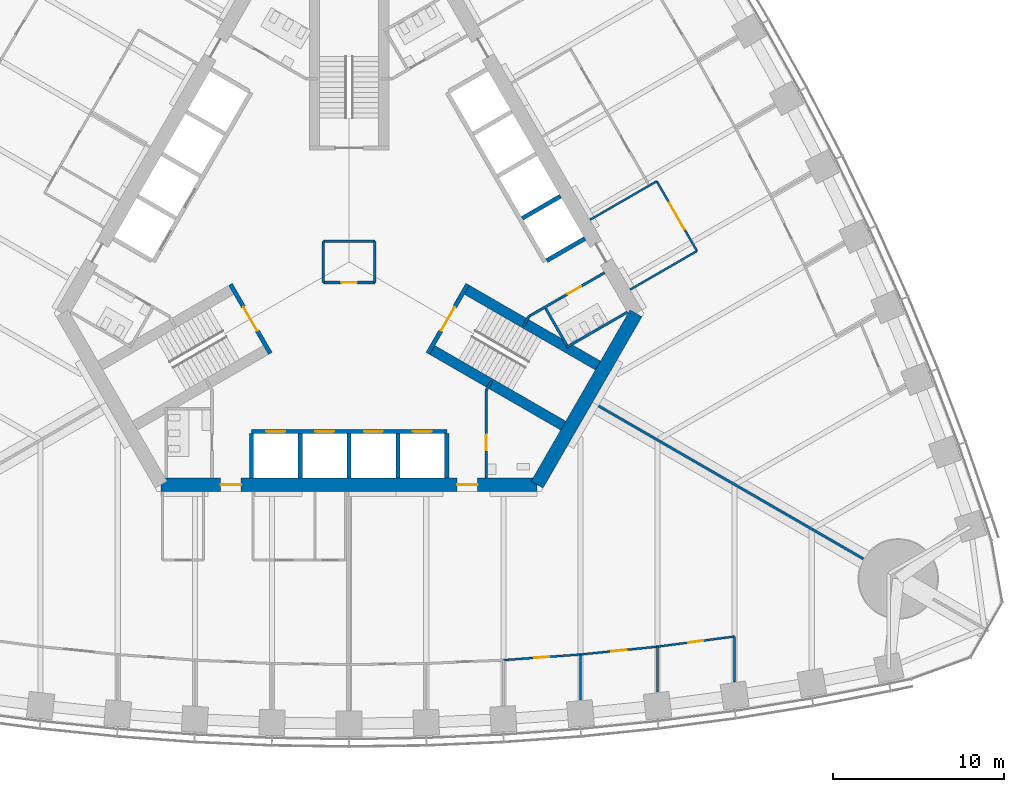
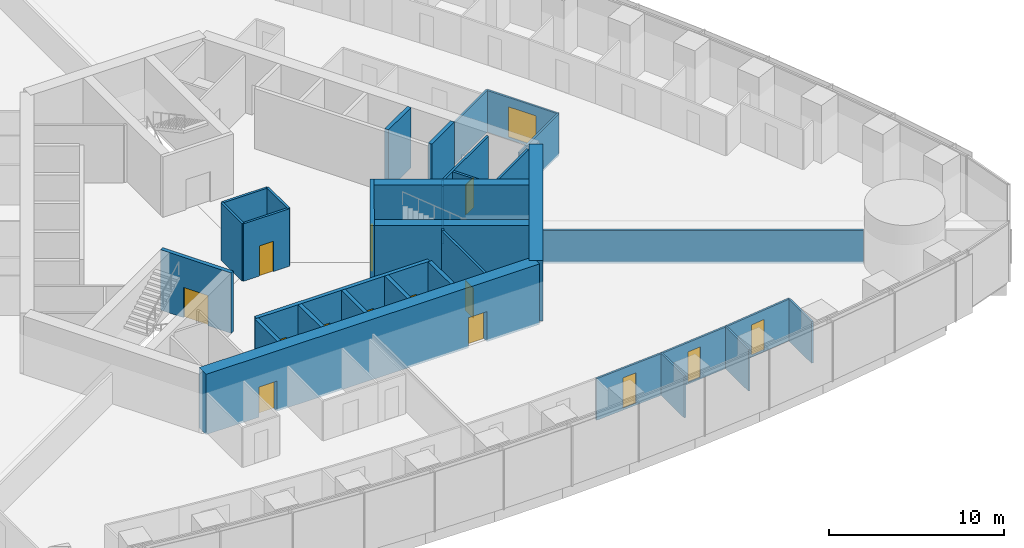
# One storey, part 11 of 19: 34 walls, 15 doors, 15 openings.
"""IFC4 building model written with IfcOpenShell, lengths in metres."""

from ifc_helpers import new_model, si_unit, direction, frame, frame_2d, origin, place, context, subcontext, project, spatial, rectangle, extrude, material, layer, layer_set, type_object, element, fill, save


model = new_model("IFC4")

# Units and contexts
model_context = context("Model", 3, precision=1e-05, world=origin(), true_north=direction((0.0, 1.0)))
body_context = subcontext(model_context, "Body", "Model", "MODEL_VIEW")
ifc_project = project(units=[si_unit("LENGTHUNIT", "METRE"), si_unit("AREAUNIT", "SQUARE_METRE"), si_unit("VOLUMEUNIT", "CUBIC_METRE"), si_unit("PLANEANGLEUNIT", "RADIAN"), si_unit("MASSUNIT", "GRAM", prefix="KILO")], contexts=[model_context])

# Site, building, storey
site_placement = place(None, origin())
site = spatial("IfcSite", under=ifc_project, at=site_placement, CompositionType="ELEMENT")
building_placement = place(site_placement, origin())
building = spatial("IfcBuilding", under=site, at=building_placement, Name="Trefoil Bronze Tower", CompositionType="ELEMENT")
storey_placement = place(building_placement, frame((0.0, 0.0, 16.5)))
storey = spatial("IfcBuildingStorey", under=building, at=storey_placement, Name="L03", CompositionType="ELEMENT", Elevation=16.5)

# Wall, openings, doors
ifc_material_1 = material(Name="Concrete B80", Category="concrete")
ifc_layer_1 = layer(ifc_material_1, 0.800048828125)
ifc_layer_set_1 = layer_set([ifc_layer_1], Name="Core wall 800")
wall_type_1 = type_object("IfcWallType", Name="Core wall 800", PredefinedType="SHEAR", material=ifc_layer_set_1)
wall_1_placement = place(storey_placement, frame((-10.9697265625, -13.0, 0.0), z_axis=(0.0, 0.0, 1.0), x_axis=(1.0, 0.0, 0.0)))
wall_1 = element("IfcWall", 1, at=wall_1_placement, inside=storey, type_object=wall_type_1, Name="Core long wall 1 L03", PredefinedType="SHEAR", context=body_context, shape_type="SweptSolid", body=[
    extrude(rectangle(XDim=21.939453125, YDim=0.800048828125, at=frame_2d((10.9697265625, 0.0))), origin(), (0.0, 0.0, 1.0), 4.199951171875),
])
opening_1_placement = place(wall_1_placement, frame((17.269775390625, 0.0, 0.0)))
opening_1 = element("IfcOpeningElement", 2, at=opening_1_placement, cuts=wall_1, Name="Opening D2", PredefinedType="OPENING", context=body_context, shape_type="SweptSolid", body=[
    extrude(rectangle(XDim=1.199951171875, YDim=2.10009765625, at=frame_2d((0.60009765625, 1.050048828125))), frame((0.0, 0.409912109375, 0.0), z_axis=(0.0, -1.0, 0.0), x_axis=(1.0, 0.0, 0.0)), (0.0, 0.0, 1.0), 0.820068359375),
])
opening_2_placement = place(wall_1_placement, frame((3.4697265625, 0.0, 0.0)))
opening_2 = element("IfcOpeningElement", 3, at=opening_2_placement, cuts=wall_1, Name="Opening D2", PredefinedType="OPENING", context=body_context, shape_type="SweptSolid", body=[
    extrude(rectangle(XDim=1.199951171875, YDim=2.10009765625, at=frame_2d((0.60009765625, 1.050048828125))), frame((0.0, 0.409912109375, 0.0), z_axis=(0.0, -1.0, 0.0), x_axis=(1.0, 0.0, 0.0)), (0.0, 0.0, 1.0), 0.820068359375),
])
ifc_material_2 = material(Name="Steel door", Category="steel")
door_type_1 = type_object("IfcDoorType", Name="Lobby door 1200", OperationType="SINGLE_SWING_RIGHT", PredefinedType="DOOR", material=ifc_material_2)
door_1_placement = place(opening_1_placement, origin())
door_1 = element("IfcDoor", 4, at=door_1_placement, inside=storey, type_object=door_type_1, Name="Lobby door F1+ L03", OperationType="SINGLE_SWING_RIGHT", OverallHeight=2.10009765625, OverallWidth=1.199951171875, PredefinedType="DOOR", context=body_context, shape_type="SweptSolid", body=[
    extrude(rectangle(XDim=1.199951171875, YDim=2.10009765625, at=frame_2d((0.60009765625, 1.050048828125))), frame((0.0, 0.02490234375, 0.0), z_axis=(0.0, -1.0, 0.0), x_axis=(1.0, 0.0, 0.0)), (0.0, 0.0, 1.0), 0.050048828125),
])
fill(opening_1, door_1)
door_2_placement = place(opening_2_placement, origin())
door_2 = element("IfcDoor", 5, at=door_2_placement, inside=storey, type_object=door_type_1, Name="Lobby door F1- L03", OperationType="SINGLE_SWING_LEFT", OverallHeight=2.10009765625, OverallWidth=1.199951171875, PredefinedType="DOOR", context=body_context, shape_type="SweptSolid", body=[
    extrude(rectangle(XDim=1.199951171875, YDim=2.10009765625, at=frame_2d((0.60009765625, 1.050048828125))), frame((0.0, 0.02490234375, 0.0), z_axis=(0.0, -1.0, 0.0), x_axis=(1.0, 0.0, 0.0)), (0.0, 0.0, 1.0), 0.050048828125),
])
fill(opening_2, door_2)

# Wall
wall_2_placement = place(storey_placement, frame((10.9697265625, -13.0, 0.0), z_axis=(0.0, 0.0, 1.0), x_axis=(0.499995765644, 0.866027848477, 0.0)))
element("IfcWall", 6, at=wall_2_placement, inside=storey, type_object=wall_type_1, Name="Core short wall 1 L03", PredefinedType="SHEAR", context=body_context, shape_type="SweptSolid", body=[
    extrude(rectangle(XDim=11.546875, YDim=0.800048828125, at=frame_2d((5.7734375, 0.0))), origin(), (0.0, 0.0, 1.0), 4.199951171875),
])

# Wall, opening, door
ifc_material_3 = material(Name="Glazed partition", Category="glass")
ifc_layer_2 = layer(ifc_material_3, 0.1201171875)
ifc_layer_set_2 = layer_set([ifc_layer_2], Name="Glazed partition 120")
wall_type_2 = type_object("IfcWallType", Name="Glazed partition 120", PredefinedType="PARTITIONING", material=ifc_layer_set_2)
wall_3_placement = place(storey_placement, frame((13.5, -22.909912109375, 0.0), z_axis=(0.0, 0.0, 1.0), x_axis=(0.994833141332, 0.101523499286, 0.0)))
wall_3 = element("IfcWall", 7, at=wall_3_placement, inside=storey, type_object=wall_type_2, Name="Partition F1 L03", PredefinedType="PARTITIONING", context=body_context, shape_type="SweptSolid", body=[
    extrude(rectangle(XDim=4.5234375, YDim=0.1201171875, at=frame_2d((2.26171875, 0.0))), origin(), (0.0, 0.0, 1.0), 2.89990234375),
])
opening_3_placement = place(wall_3_placement, frame((1.800048828125, 0.0, 0.14990234375)))
opening_3 = element("IfcOpeningElement", 8, at=opening_3_placement, cuts=wall_3, Name="Opening D8", PredefinedType="OPENING", context=body_context, shape_type="SweptSolid", body=[
    extrude(rectangle(XDim=0.89990234375, YDim=2.10009765625, at=frame_2d((0.449951171875, 1.050048828125))), frame((0.0, 0.070068359375, 0.0), z_axis=(0.0, -1.0, 0.0), x_axis=(1.0, 0.0, 0.0)), (0.0, 0.0, 1.0), 0.14013671875),
])
ifc_material_4 = material(Name="Timber door", Category="wood")
door_type_2 = type_object("IfcDoorType", Name="Office door 900", OperationType="SINGLE_SWING_LEFT", PredefinedType="DOOR", material=ifc_material_4)
door_3_placement = place(opening_3_placement, frame((0.89990234375, 0.0, 0.0), z_axis=(0.0, 0.0, 1.0), x_axis=(-1.0, 0.0, 0.0)))
door_3 = element("IfcDoor", 9, at=door_3_placement, inside=storey, type_object=door_type_2, Name="Office door F1 L03", OperationType="SINGLE_SWING_RIGHT", OverallHeight=2.10009765625, OverallWidth=0.89990234375, PredefinedType="DOOR", context=body_context, shape_type="SweptSolid", body=[
    extrude(rectangle(XDim=0.89990234375, YDim=2.10009765625, at=frame_2d((0.449951171875, 1.050048828125))), frame((0.0, 0.02490234375, 0.0), z_axis=(0.0, -1.0, 0.0), x_axis=(1.0, 0.0, 0.0)), (0.0, 0.0, 1.0), 0.050048828125),
])
fill(opening_3, door_3)

wall_4_placement = place(storey_placement, frame((18.0, -22.45068359375, 0.0), z_axis=(0.0, 0.0, 1.0), x_axis=(0.991435244698, 0.130599217346, 0.0)))
wall_4 = element("IfcWall", 10, at=wall_4_placement, inside=storey, type_object=wall_type_2, Name="Partition F1 L03", PredefinedType="PARTITIONING", context=body_context, shape_type="SweptSolid", body=[
    extrude(rectangle(XDim=4.538818359375, YDim=0.1201171875, at=frame_2d((2.26953125, 0.0))), origin(), (0.0, 0.0, 1.0), 2.89990234375),
])
opening_4_placement = place(wall_4_placement, frame((1.800048828125, 0.0, 0.14990234375)))
opening_4 = element("IfcOpeningElement", 11, at=opening_4_placement, cuts=wall_4, Name="Opening D8", PredefinedType="OPENING", context=body_context, shape_type="SweptSolid", body=[
    extrude(rectangle(XDim=0.89990234375, YDim=2.10009765625, at=frame_2d((0.449951171875, 1.050048828125))), frame((0.0, 0.070068359375, 0.0), z_axis=(0.0, -1.0, 0.0), x_axis=(1.0, 0.0, 0.0)), (0.0, 0.0, 1.0), 0.14013671875),
])
door_4_placement = place(opening_4_placement, frame((0.89990234375, 0.0, 0.0), z_axis=(0.0, 0.0, 1.0), x_axis=(-1.0, 0.0, 0.0)))
door_4 = element("IfcDoor", 12, at=door_4_placement, inside=storey, type_object=door_type_2, Name="Office door F1 L03", OperationType="SINGLE_SWING_RIGHT", OverallHeight=2.10009765625, OverallWidth=0.89990234375, PredefinedType="DOOR", context=body_context, shape_type="SweptSolid", body=[
    extrude(rectangle(XDim=0.89990234375, YDim=2.10009765625, at=frame_2d((0.449951171875, 1.050048828125))), frame((0.0, 0.02490234375, 0.0), z_axis=(0.0, -1.0, 0.0), x_axis=(1.0, 0.0, 0.0)), (0.0, 0.0, 1.0), 0.050048828125),
])
fill(opening_4, door_4)

wall_5_placement = place(storey_placement, frame((9.0, -23.2373046875, 0.0), z_axis=(0.0, 0.0, 1.0), x_axis=(0.997363894896, 0.072562119306, 0.0)))
wall_5 = element("IfcWall", 13, at=wall_5_placement, inside=storey, type_object=wall_type_2, Name="Partition F1 L03", PredefinedType="PARTITIONING", context=body_context, shape_type="SweptSolid", body=[
    extrude(rectangle(XDim=4.511962890625, YDim=0.1201171875, at=frame_2d((2.255859375, 0.0))), origin(), (0.0, 0.0, 1.0), 2.89990234375),
])
opening_5_placement = place(wall_5_placement, frame((1.800048828125, 0.0, 0.14990234375)))
opening_5 = element("IfcOpeningElement", 14, at=opening_5_placement, cuts=wall_5, Name="Opening D8", PredefinedType="OPENING", context=body_context, shape_type="SweptSolid", body=[
    extrude(rectangle(XDim=0.89990234375, YDim=2.10009765625, at=frame_2d((0.449951171875, 1.050048828125))), frame((0.0, 0.070068359375, 0.0), z_axis=(0.0, -1.0, 0.0), x_axis=(1.0, 0.0, 0.0)), (0.0, 0.0, 1.0), 0.14013671875),
])
door_5_placement = place(opening_5_placement, frame((0.89990234375, 0.0, 0.0), z_axis=(0.0, 0.0, 1.0), x_axis=(-1.0, 0.0, 0.0)))
door_5 = element("IfcDoor", 15, at=door_5_placement, inside=storey, type_object=door_type_2, Name="Office door F1 L03", OperationType="SINGLE_SWING_RIGHT", OverallHeight=2.10009765625, OverallWidth=0.89990234375, PredefinedType="DOOR", context=body_context, shape_type="SweptSolid", body=[
    extrude(rectangle(XDim=0.89990234375, YDim=2.10009765625, at=frame_2d((0.449951171875, 1.050048828125))), frame((0.0, 0.02490234375, 0.0), z_axis=(0.0, -1.0, 0.0), x_axis=(1.0, 0.0, 0.0)), (0.0, 0.0, 1.0), 0.050048828125),
])
fill(opening_5, door_5)

# Walls
wall_6_placement = place(storey_placement, frame((13.5, -22.909912109375, 0.0), z_axis=(0.0, 0.0, 1.0), x_axis=(0.0, -1.0, 0.0)))
element("IfcWall", 16, at=wall_6_placement, inside=storey, type_object=wall_type_2, Name="Partition F1 L03", PredefinedType="PARTITIONING", context=body_context, shape_type="SweptSolid", body=[
    extrude(rectangle(XDim=2.6640625, YDim=0.1201171875, at=frame_2d((1.33203125, 0.0))), origin(), (0.0, 0.0, 1.0), 2.89990234375),
])
wall_7_placement = place(storey_placement, frame((18.0, -22.45068359375, 0.0), z_axis=(0.0, 0.0, 1.0), x_axis=(0.0, -1.0, 0.0)))
element("IfcWall", 17, at=wall_7_placement, inside=storey, type_object=wall_type_2, Name="Partition F1 L03", PredefinedType="PARTITIONING", context=body_context, shape_type="SweptSolid", body=[
    extrude(rectangle(XDim=2.6591796875, YDim=0.1201171875, at=frame_2d((1.32958984375, 0.0))), origin(), (0.0, 0.0, 1.0), 2.89990234375),
])
wall_8_placement = place(storey_placement, frame((22.5, -21.85791015625, 0.0), z_axis=(0.0, 0.0, 1.0), x_axis=(0.0, -1.0, 0.0)))
element("IfcWall", 18, at=wall_8_placement, inside=storey, type_object=wall_type_2, Name="Partition F1 L03", PredefinedType="PARTITIONING", context=body_context, shape_type="SweptSolid", body=[
    extrude(rectangle(XDim=2.6533203125, YDim=0.1201171875, at=frame_2d((1.32666015625, 0.0))), origin(), (0.0, 0.0, 1.0), 2.89990234375),
])

# Wall, opening, door
wall_9_placement = place(storey_placement, frame((20.3017578125, 0.63623046875, 0.0), z_axis=(0.0, 0.0, 1.0), x_axis=(-0.499977259774, 0.866038532462, 0.0)))
wall_9 = element("IfcWall", 19, at=wall_9_placement, inside=storey, type_object=wall_type_2, Name="Partition F2 L03", PredefinedType="PARTITIONING", context=body_context, shape_type="SweptSolid", body=[
    extrude(rectangle(XDim=4.699951171875, YDim=0.1201171875, at=frame_2d((2.35009765625, 0.0))), origin(), (0.0, 0.0, 1.0), 2.89990234375),
])
opening_6_placement = place(wall_9_placement, frame((1.449951171875, 0.0, 0.14990234375)))
opening_6 = element("IfcOpeningElement", 20, at=opening_6_placement, cuts=wall_9, Name="Opening D10", PredefinedType="OPENING", context=body_context, shape_type="SweptSolid", body=[
    extrude(rectangle(XDim=1.800048828125, YDim=2.10009765625, at=frame_2d((0.89990234375, 1.050048828125))), frame((0.0, 0.070068359375, 0.0), z_axis=(0.0, -1.0, 0.0), x_axis=(1.0, 0.0, 0.0)), (0.0, 0.0, 1.0), 0.14013671875),
])
ifc_material_5 = material(Name="Timber door", Category="wood")
door_type_3 = type_object("IfcDoorType", Name="Double door 1800", OperationType="DOUBLE_DOOR_SINGLE_SWING", PredefinedType="DOOR", material=ifc_material_5)
door_6_placement = place(opening_6_placement, origin())
door_6 = element("IfcDoor", 21, at=door_6_placement, inside=storey, type_object=door_type_3, Name="Reception door F2 L03", OperationType="DOUBLE_DOOR_SINGLE_SWING", OverallHeight=2.10009765625, OverallWidth=1.800048828125, PredefinedType="DOOR", context=body_context, shape_type="SweptSolid", body=[
    extrude(rectangle(XDim=1.800048828125, YDim=2.10009765625, at=frame_2d((0.89990234375, 1.050048828125))), frame((0.0, 0.02490234375, 0.0), z_axis=(0.0, -1.0, 0.0), x_axis=(1.0, 0.0, 0.0)), (0.0, 0.0, 1.0), 0.050048828125),
])
fill(opening_6, door_6)

# Walls
wall_10_placement = place(storey_placement, frame((14.0546875, 2.45654296875, 0.0), z_axis=(0.0, 0.0, 1.0), x_axis=(0.866031096941, 0.499990139034, 0.0)))
element("IfcWall", 22, at=wall_10_placement, inside=storey, type_object=wall_type_2, Name="Partition F2 L03", PredefinedType="PARTITIONING", context=body_context, shape_type="SweptSolid", body=[
    extrude(rectangle(XDim=4.5, YDim=0.1201171875, at=frame_2d((2.25, 0.0))), origin(), (0.0, 0.0, 1.0), 2.89990234375),
])
wall_11_placement = place(storey_placement, frame((16.40478515625, -1.61376953125, 0.0), z_axis=(0.0, 0.0, 1.0), x_axis=(0.866017533419, 0.500013631625, 0.0)))
element("IfcWall", 23, at=wall_11_placement, inside=storey, type_object=wall_type_2, Name="Partition F2 L03", PredefinedType="PARTITIONING", context=body_context, shape_type="SweptSolid", body=[
    extrude(rectangle(XDim=4.499755859375, YDim=0.1201171875, at=frame_2d((2.25, 0.0))), origin(), (0.0, 0.0, 1.0), 2.89990234375),
])

# Wall, opening, door
ifc_material_6 = material(Name="Gypsum board on steel studs", Category="steel")
ifc_layer_3 = layer(ifc_material_6, 0.14990234375)
ifc_layer_set_3 = layer_set([ifc_layer_3], Name="Partition 150")
wall_type_3 = type_object("IfcWallType", Name="Partition 150", PredefinedType="PARTITIONING", material=ifc_layer_set_3)
wall_12_placement = place(storey_placement, frame((8.0, -7.5, 0.0), z_axis=(0.0, 0.0, 1.0), x_axis=(0.0, -1.0, 0.0)))
wall_12 = element("IfcWall", 24, at=wall_12_placement, inside=storey, type_object=wall_type_3, Name="Passage wall F1+ L03", PredefinedType="PARTITIONING", context=body_context, shape_type="SweptSolid", body=[
    extrude(rectangle(XDim=5.10009765625, YDim=0.14990234375, at=frame_2d((2.550048828125, 0.0))), origin(), (0.0, 0.0, 1.0), 4.0),
])
opening_7_placement = place(wall_12_placement, frame((2.60009765625, 0.0, 0.0)))
opening_7 = element("IfcOpeningElement", 25, at=opening_7_placement, cuts=wall_12, Name="Opening D3", PredefinedType="OPENING", context=body_context, shape_type="SweptSolid", body=[
    extrude(rectangle(XDim=0.89990234375, YDim=2.10009765625, at=frame_2d((0.449951171875, 1.050048828125))), frame((0.0, 0.0849609375, 0.0), z_axis=(0.0, -1.0, 0.0), x_axis=(1.0, 0.0, 0.0)), (0.0, 0.0, 1.0), 0.169921875),
])
ifc_material_7 = material(Name="Timber door", Category="wood")
door_type_4 = type_object("IfcDoorType", Name="WC door 900", OperationType="SINGLE_SWING_LEFT", PredefinedType="DOOR", material=ifc_material_7)
door_7_placement = place(opening_7_placement, origin())
door_7 = element("IfcDoor", 26, at=door_7_placement, inside=storey, type_object=door_type_4, Name="Accessible WC door L03", OperationType="SINGLE_SWING_RIGHT", OverallHeight=2.10009765625, OverallWidth=0.89990234375, PredefinedType="DOOR", context=body_context, shape_type="SweptSolid", body=[
    extrude(rectangle(XDim=0.89990234375, YDim=2.10009765625, at=frame_2d((0.449951171875, 1.050048828125))), frame((0.0, 0.02490234375, 0.0), z_axis=(0.0, -1.0, 0.0), x_axis=(1.0, 0.0, 0.0)), (0.0, 0.0, 1.0), 0.050048828125),
])
fill(opening_7, door_7)

wall_13_placement = place(storey_placement, frame((10.4951171875, -3.17822265625, 0.0), z_axis=(0.0, 0.0, 1.0), x_axis=(0.86602216432, 0.500005610874, 0.0)))
wall_13 = element("IfcWall", 27, at=wall_13_placement, inside=storey, type_object=wall_type_3, Name="Passage wall F2- L03", PredefinedType="PARTITIONING", context=body_context, shape_type="SweptSolid", body=[
    extrude(rectangle(XDim=5.10009765625, YDim=0.14990234375, at=frame_2d((2.550048828125, 0.0))), origin(), (0.0, 0.0, 1.0), 4.0),
])
opening_8_placement = place(wall_13_placement, frame((2.60009765625, 0.0, 0.0)))
opening_8 = element("IfcOpeningElement", 28, at=opening_8_placement, cuts=wall_13, Name="Opening D3", PredefinedType="OPENING", context=body_context, shape_type="SweptSolid", body=[
    extrude(rectangle(XDim=0.89990234375, YDim=2.10009765625, at=frame_2d((0.449951171875, 1.050048828125))), frame((0.0, 0.0849609375, 0.0), z_axis=(0.0, -1.0, 0.0), x_axis=(1.0, 0.0, 0.0)), (0.0, 0.0, 1.0), 0.169921875),
])
door_8_placement = place(opening_8_placement, frame((0.89990234375, 0.0, 0.0), z_axis=(0.0, 0.0, 1.0), x_axis=(-1.0, 0.0, 0.0)))
door_8 = element("IfcDoor", 29, at=door_8_placement, inside=storey, type_object=door_type_4, Name="WC (women) door L03", OperationType="SINGLE_SWING_RIGHT", OverallHeight=2.10009765625, OverallWidth=0.89990234375, PredefinedType="DOOR", context=body_context, shape_type="SweptSolid", body=[
    extrude(rectangle(XDim=0.89990234375, YDim=2.10009765625, at=frame_2d((0.449951171875, 1.050048828125))), frame((0.0, 0.02490234375, 0.0), z_axis=(0.0, -1.0, 0.0), x_axis=(1.0, 0.0, 0.0)), (0.0, 0.0, 1.0), 0.050048828125),
])
fill(opening_8, door_8)

# Walls
for number, where, z_axis, x_axis, name in (
    (30, (8.0, -7.5, 0.0), (0.0, 0.0, 1.0), (0.499842556608, 0.866116284689, 0.0), "WC wall ST1-1 L03"),
    (31, (10.4951171875, -3.17822265625, 0.0), (0.0, 0.0, 1.0), (-0.499842556608, -0.866116284689, 0.0), "WC wall ST1+1 L03"),
):
    element("IfcWall", number, at=place(storey_placement, frame(where, z_axis=z_axis, x_axis=x_axis)), inside=storey, type_object=wall_type_3, Name=name, PredefinedType="PARTITIONING", context=body_context, shape_type="SweptSolid", body=[
        extrude(rectangle(XDim=0.645263671875, YDim=0.14990234375, at=frame_2d((0.32275390625, 0.0))), origin(), (0.0, 0.0, 1.0), 4.0),
    ])
wall_14_placement = place(storey_placement, frame((12.691162109375, -4.98193359375, 0.0), z_axis=(0.0, 0.0, 1.0), x_axis=(0.8660249478, 0.500000789788, 0.0)))
element("IfcWall", 32, at=wall_14_placement, inside=storey, type_object=wall_type_3, Name="WC partition WC (women) L03", PredefinedType="PARTITIONING", context=body_context, shape_type="SweptSolid", body=[
    extrude(rectangle(XDim=4.10009765625, YDim=0.14990234375, at=frame_2d((2.050048828125, 0.0))), origin(), (0.0, 0.0, 1.0), 4.0),
])
wall_15_placement = place(storey_placement, frame((11.463623046875, -2.70556640625, 0.0), z_axis=(0.0, 0.0, 1.0), x_axis=(0.50001992892, -0.866013897511, 0.0)))
element("IfcWall", 33, at=wall_15_placement, inside=storey, type_object=wall_type_3, Name="WC partition WC (women) L03", PredefinedType="PARTITIONING", context=body_context, shape_type="SweptSolid", body=[
    extrude(rectangle(XDim=2.51025390625, YDim=0.14990234375, at=frame_2d((1.255126953125, 0.0))), origin(), (0.0, 0.0, 1.0), 4.0),
])
ifc_material_8 = material(Name="Gypsum board on steel studs", Category="steel")
ifc_layer_4 = layer(ifc_material_8, 0.14990234375)
ifc_layer_set_4 = layer_set([ifc_layer_4], Name="Party wall 150")
wall_type_4 = type_object("IfcWallType", Name="Party wall 150", PredefinedType="PARTITIONING", material=ifc_layer_set_4)
wall_16_placement = place(storey_placement, frame((14.202880859375, -8.199951171875, 0.0), z_axis=(0.0, 0.0, 1.0), x_axis=(0.866024965723, -0.500000758745, 0.0)))
element("IfcWall", 34, at=wall_16_placement, inside=storey, type_object=wall_type_4, Name="Party wall K1 L03", PredefinedType="PARTITIONING", context=body_context, shape_type="SweptSolid", body=[
    extrude(rectangle(XDim=18.25, YDim=0.14990234375, at=frame_2d((9.125, 0.0))), origin(), (0.0, 0.0, 1.0), 2.300048828125),
])

# Wall, opening, door
ifc_material_9 = material(Name="Gypsum board on steel studs", Category="steel")
ifc_layer_5 = layer(ifc_material_9, 0.14990234375)
ifc_layer_set_5 = layer_set([ifc_layer_5], Name="Riser wall 150")
wall_type_5 = type_object("IfcWallType", Name="Riser wall 150", PredefinedType="PARTITIONING", material=ifc_layer_set_5)
wall_17_placement = place(storey_placement, frame((-1.5, -1.199951171875, 0.0), z_axis=(0.0, 0.0, 1.0), x_axis=(1.0, 0.0, 0.0)))
wall_17 = element("IfcWall", 35, at=wall_17_placement, inside=storey, type_object=wall_type_5, Name="Riser wall L03", PredefinedType="PARTITIONING", context=body_context, shape_type="SweptSolid", body=[
    extrude(rectangle(XDim=3.0, YDim=0.14990234375, at=frame_2d((1.5, 0.0))), origin(), (0.0, 0.0, 1.0), 4.0),
])
opening_9_placement = place(wall_17_placement, frame((1.050048828125, 0.0, 0.0)))
opening_9 = element("IfcOpeningElement", 36, at=opening_9_placement, cuts=wall_17, Name="Opening D4", PredefinedType="OPENING", context=body_context, shape_type="SweptSolid", body=[
    extrude(rectangle(XDim=0.89990234375, YDim=2.10009765625, at=frame_2d((0.449951171875, 1.050048828125))), frame((0.0, 0.0849609375, 0.0), z_axis=(0.0, -1.0, 0.0), x_axis=(1.0, 0.0, 0.0)), (0.0, 0.0, 1.0), 0.169921875),
])
ifc_material_10 = material(Name="Steel door", Category="steel")
door_type_5 = type_object("IfcDoorType", Name="Riser door 900", OperationType="SINGLE_SWING_LEFT", PredefinedType="DOOR", material=ifc_material_10)
door_9_placement = place(opening_9_placement, frame((0.89990234375, 0.0, 0.0), z_axis=(0.0, 0.0, 1.0), x_axis=(-1.0, 0.0, 0.0)))
door_9 = element("IfcDoor", 37, at=door_9_placement, inside=storey, type_object=door_type_5, Name="Riser door L03", OperationType="SINGLE_SWING_LEFT", OverallHeight=2.10009765625, OverallWidth=0.89990234375, PredefinedType="DOOR", context=body_context, shape_type="SweptSolid", body=[
    extrude(rectangle(XDim=0.89990234375, YDim=2.10009765625, at=frame_2d((0.449951171875, 1.050048828125))), frame((0.0, 0.02490234375, 0.0), z_axis=(0.0, -1.0, 0.0), x_axis=(1.0, 0.0, 0.0)), (0.0, 0.0, 1.0), 0.050048828125),
])
fill(opening_9, door_9)

# Walls
wall_18_placement = place(storey_placement, frame((1.5, -1.199951171875, 0.0), z_axis=(0.0, 0.0, 1.0), x_axis=(0.0, 1.0, 0.0)))
element("IfcWall", 38, at=wall_18_placement, inside=storey, type_object=wall_type_5, Name="Riser wall L03", PredefinedType="PARTITIONING", context=body_context, shape_type="SweptSolid", body=[
    extrude(rectangle(XDim=2.39990234375, YDim=0.14990234375, at=frame_2d((1.199951171875, 0.0))), origin(), (0.0, 0.0, 1.0), 4.0),
])
wall_19_placement = place(storey_placement, frame((1.5, 1.199951171875, 0.0), z_axis=(0.0, 0.0, 1.0), x_axis=(-1.0, 0.0, 0.0)))
element("IfcWall", 39, at=wall_19_placement, inside=storey, type_object=wall_type_5, Name="Riser wall L03", PredefinedType="PARTITIONING", context=body_context, shape_type="SweptSolid", body=[
    extrude(rectangle(XDim=3.0, YDim=0.14990234375, at=frame_2d((1.5, 0.0))), origin(), (0.0, 0.0, 1.0), 4.0),
])
wall_20_placement = place(storey_placement, frame((-1.5, 1.199951171875, 0.0), z_axis=(0.0, 0.0, 1.0), x_axis=(0.0, -1.0, 0.0)))
element("IfcWall", 40, at=wall_20_placement, inside=storey, type_object=wall_type_5, Name="Riser wall L03", PredefinedType="PARTITIONING", context=body_context, shape_type="SweptSolid", body=[
    extrude(rectangle(XDim=2.39990234375, YDim=0.14990234375, at=frame_2d((1.199951171875, 0.0))), origin(), (0.0, 0.0, 1.0), 4.0),
])

# Wall, openings, doors
ifc_material_11 = material(Name="Concrete B80", Category="concrete")
ifc_layer_6 = layer(ifc_material_11, 0.25)
ifc_layer_set_6 = layer_set([ifc_layer_6], Name="Shaft wall 250")
wall_type_6 = type_object("IfcWallType", Name="Shaft wall 250", PredefinedType="SHEAR", material=ifc_layer_set_6)
wall_21_placement = place(storey_placement, frame((-5.699951171875, -9.89990234375, 0.0), z_axis=(0.0, 0.0, 1.0), x_axis=(1.0, 0.0, 0.0)))
wall_21 = element("IfcWall", 41, at=wall_21_placement, inside=storey, type_object=wall_type_6, Name="Lift shaft front wall A L03", PredefinedType="SHEAR", context=body_context, shape_type="SweptSolid", body=[
    extrude(rectangle(XDim=11.39990234375, YDim=0.25, at=frame_2d((5.699951171875, 0.0))), origin(), (0.0, 0.0, 1.0), 4.199951171875),
])
opening_10_placement = place(wall_21_placement, frame((0.875, 0.0, 0.0)))
opening_10 = element("IfcOpeningElement", 42, at=opening_10_placement, cuts=wall_21, Name="Opening LD-P11", PredefinedType="OPENING", context=body_context, shape_type="SweptSolid", body=[
    extrude(rectangle(XDim=1.10009765625, YDim=2.199951171875, at=frame_2d((0.550048828125, 1.10009765625))), frame((0.0, 0.135009765625, 0.0), z_axis=(0.0, -1.0, 0.0), x_axis=(1.0, 0.0, 0.0)), (0.0, 0.0, 1.0), 0.27001953125),
])
opening_11_placement = place(wall_21_placement, frame((3.72509765625, 0.0, 0.0)))
opening_11 = element("IfcOpeningElement", 43, at=opening_11_placement, cuts=wall_21, Name="Opening LD-P12", PredefinedType="OPENING", context=body_context, shape_type="SweptSolid", body=[
    extrude(rectangle(XDim=1.10009765625, YDim=2.199951171875, at=frame_2d((0.550048828125, 1.10009765625))), frame((0.0, 0.135009765625, 0.0), z_axis=(0.0, -1.0, 0.0), x_axis=(1.0, 0.0, 0.0)), (0.0, 0.0, 1.0), 0.27001953125),
])
opening_12_placement = place(wall_21_placement, frame((6.574951171875, 0.0, 0.0)))
opening_12 = element("IfcOpeningElement", 44, at=opening_12_placement, cuts=wall_21, Name="Opening LD-P13", PredefinedType="OPENING", context=body_context, shape_type="SweptSolid", body=[
    extrude(rectangle(XDim=1.10009765625, YDim=2.199951171875, at=frame_2d((0.550048828125, 1.10009765625))), frame((0.0, 0.135009765625, 0.0), z_axis=(0.0, -1.0, 0.0), x_axis=(1.0, 0.0, 0.0)), (0.0, 0.0, 1.0), 0.27001953125),
])
opening_13_placement = place(wall_21_placement, frame((9.425048828125, 0.0, 0.0)))
opening_13 = element("IfcOpeningElement", 45, at=opening_13_placement, cuts=wall_21, Name="Opening LD-P14", PredefinedType="OPENING", context=body_context, shape_type="SweptSolid", body=[
    extrude(rectangle(XDim=1.10009765625, YDim=2.199951171875, at=frame_2d((0.550048828125, 1.10009765625))), frame((0.0, 0.135009765625, 0.0), z_axis=(0.0, -1.0, 0.0), x_axis=(1.0, 0.0, 0.0)), (0.0, 0.0, 1.0), 0.27001953125),
])
ifc_material_12 = material(Name="Steel door", Category="steel")
door_type_6 = type_object("IfcDoorType", Name="Lift landing door 1100", OperationType="DOUBLE_DOOR_SLIDING", PredefinedType="DOOR", material=ifc_material_12)
door_10_placement = place(opening_10_placement, origin())
door_10 = element("IfcDoor", 46, at=door_10_placement, inside=storey, type_object=door_type_6, Name="Lift P11 landing door L03", OperationType="DOUBLE_DOOR_SLIDING", OverallHeight=2.199951171875, OverallWidth=1.10009765625, PredefinedType="DOOR", context=body_context, shape_type="SweptSolid", body=[
    extrude(rectangle(XDim=1.10009765625, YDim=2.199951171875, at=frame_2d((0.550048828125, 1.10009765625))), frame((0.0, 0.02490234375, 0.0), z_axis=(0.0, -1.0, 0.0), x_axis=(1.0, 0.0, 0.0)), (0.0, 0.0, 1.0), 0.050048828125),
])
fill(opening_10, door_10)
door_11_placement = place(opening_11_placement, origin())
door_11 = element("IfcDoor", 47, at=door_11_placement, inside=storey, type_object=door_type_6, Name="Lift P12 landing door L03", OperationType="DOUBLE_DOOR_SLIDING", OverallHeight=2.199951171875, OverallWidth=1.10009765625, PredefinedType="DOOR", context=body_context, shape_type="SweptSolid", body=[
    extrude(rectangle(XDim=1.10009765625, YDim=2.199951171875, at=frame_2d((0.550048828125, 1.10009765625))), frame((0.0, 0.02490234375, 0.0), z_axis=(0.0, -1.0, 0.0), x_axis=(1.0, 0.0, 0.0)), (0.0, 0.0, 1.0), 0.050048828125),
])
fill(opening_11, door_11)
door_12_placement = place(opening_12_placement, origin())
door_12 = element("IfcDoor", 48, at=door_12_placement, inside=storey, type_object=door_type_6, Name="Lift P13 landing door L03", OperationType="DOUBLE_DOOR_SLIDING", OverallHeight=2.199951171875, OverallWidth=1.10009765625, PredefinedType="DOOR", context=body_context, shape_type="SweptSolid", body=[
    extrude(rectangle(XDim=1.10009765625, YDim=2.199951171875, at=frame_2d((0.550048828125, 1.10009765625))), frame((0.0, 0.02490234375, 0.0), z_axis=(0.0, -1.0, 0.0), x_axis=(1.0, 0.0, 0.0)), (0.0, 0.0, 1.0), 0.050048828125),
])
fill(opening_12, door_12)
door_13_placement = place(opening_13_placement, origin())
door_13 = element("IfcDoor", 49, at=door_13_placement, inside=storey, type_object=door_type_6, Name="Lift P14 landing door L03", OperationType="DOUBLE_DOOR_SLIDING", OverallHeight=2.199951171875, OverallWidth=1.10009765625, PredefinedType="DOOR", context=body_context, shape_type="SweptSolid", body=[
    extrude(rectangle(XDim=1.10009765625, YDim=2.199951171875, at=frame_2d((0.550048828125, 1.10009765625))), frame((0.0, 0.02490234375, 0.0), z_axis=(0.0, -1.0, 0.0), x_axis=(1.0, 0.0, 0.0)), (0.0, 0.0, 1.0), 0.050048828125),
])
fill(opening_13, door_13)

# Walls
for number, where, z_axis, x_axis, name in (
    (50, (-5.699951171875, -10.02490234375, 0.0), (0.0, 0.0, 1.0), (0.0, -1.0, 0.0), "Lift shaft side wall A0 L03"),
    (51, (-2.85009765625, -10.02490234375, 0.0), (0.0, 0.0, 1.0), (0.0, -1.0, 0.0), "Lift shaft side wall A1 L03"),
    (52, (0.0, -10.02490234375, 0.0), (0.0, 0.0, 1.0), (0.0, -1.0, 0.0), "Lift shaft side wall A2 L03"),
    (53, (2.85009765625, -10.02490234375, 0.0), (0.0, 0.0, 1.0), (0.0, -1.0, 0.0), "Lift shaft side wall A3 L03"),
    (54, (5.699951171875, -10.02490234375, 0.0), (0.0, 0.0, 1.0), (0.0, -1.0, 0.0), "Lift shaft side wall A4 L03"),
):
    element("IfcWall", number, at=place(storey_placement, frame(where, z_axis=z_axis, x_axis=x_axis)), inside=storey, type_object=wall_type_6, Name=name, PredefinedType="SHEAR", context=body_context, shape_type="SweptSolid", body=[
        extrude(rectangle(XDim=2.5751953125, YDim=0.25, at=frame_2d((1.28759765625, 0.0))), origin(), (0.0, 0.0, 1.0), 4.199951171875),
    ])
for number, where, z_axis, x_axis, name in (
    (55, (11.531982421875, 0.076171875, 0.0), (0.0, 0.0, 1.0), (0.866005588531, 0.500034319456, 0.0), "Lift shaft side wall B0 L03"),
    (56, (10.10693359375, 2.54443359375, 0.0), (0.0, 0.0, 1.0), (0.866046643894, 0.499963209246, 0.0), "Lift shaft side wall B1 L03"),
):
    element("IfcWall", number, at=place(storey_placement, frame(where, z_axis=z_axis, x_axis=x_axis)), inside=storey, type_object=wall_type_6, Name=name, PredefinedType="SHEAR", context=body_context, shape_type="SweptSolid", body=[
        extrude(rectangle(XDim=2.574951171875, YDim=0.25, at=frame_2d((1.28759765625, 0.0))), origin(), (0.0, 0.0, 1.0), 4.199951171875),
    ])

# Wall, opening, door
wall_22_placement = place(storey_placement, frame((4.5966796875, -5.338623046875, 0.0), z_axis=(0.0, 0.0, 1.0), x_axis=(0.499984536904, 0.866034331223, 0.0)))
wall_22 = element("IfcWall", 57, at=wall_22_placement, inside=storey, type_object=wall_type_6, Name="Stair end wall ST1 L03", PredefinedType="SHEAR", context=body_context, shape_type="SweptSolid", body=[
    extrude(rectangle(XDim=4.650146484375, YDim=0.25, at=frame_2d((2.3251953125, 0.0))), origin(), (0.0, 0.0, 1.0), 4.199951171875),
])
opening_14_placement = place(wall_22_placement, frame((1.52490234375, 0.0, 0.0)))
opening_14 = element("IfcOpeningElement", 58, at=opening_14_placement, cuts=wall_22, Name="Opening D1", PredefinedType="OPENING", context=body_context, shape_type="SweptSolid", body=[
    extrude(rectangle(XDim=1.60009765625, YDim=2.10009765625, at=frame_2d((0.800048828125, 1.050048828125))), frame((0.0, 0.135009765625, 0.0), z_axis=(0.0, -1.0, 0.0), x_axis=(1.0, 0.0, 0.0)), (0.0, 0.0, 1.0), 0.27001953125),
])
ifc_material_13 = material(Name="Steel door", Category="steel")
door_type_7 = type_object("IfcDoorType", Name="Stair door 1600", OperationType="DOUBLE_DOOR_SINGLE_SWING", PredefinedType="DOOR", material=ifc_material_13)
door_14_placement = place(opening_14_placement, frame((1.60009765625, 0.0, 0.0), z_axis=(0.0, 0.0, 1.0), x_axis=(-1.0, 0.0, 0.0)))
door_14 = element("IfcDoor", 59, at=door_14_placement, inside=storey, type_object=door_type_7, Name="Stair door ST1 L03", OperationType="DOUBLE_DOOR_SINGLE_SWING", OverallHeight=2.10009765625, OverallWidth=1.60009765625, PredefinedType="DOOR", context=body_context, shape_type="SweptSolid", body=[
    extrude(rectangle(XDim=1.60009765625, YDim=2.10009765625, at=frame_2d((0.800048828125, 1.050048828125))), frame((0.0, 0.02490234375, 0.0), z_axis=(0.0, -1.0, 0.0), x_axis=(1.0, 0.0, 0.0)), (0.0, 0.0, 1.0), 0.050048828125),
])
fill(opening_14, door_14)

wall_23_placement = place(storey_placement, frame((-6.921630859375, -1.3115234375, 0.0), z_axis=(0.0, 0.0, 1.0), x_axis=(0.499984536904, -0.866034331223, 0.0)))
wall_23 = element("IfcWall", 60, at=wall_23_placement, inside=storey, type_object=wall_type_6, Name="Stair end wall ST3 L03", PredefinedType="SHEAR", context=body_context, shape_type="SweptSolid", body=[
    extrude(rectangle(XDim=4.650146484375, YDim=0.25, at=frame_2d((2.3251953125, 0.0))), origin(), (0.0, 0.0, 1.0), 4.199951171875),
])
opening_15_placement = place(wall_23_placement, frame((1.52490234375, 0.0, 0.0)))
opening_15 = element("IfcOpeningElement", 61, at=opening_15_placement, cuts=wall_23, Name="Opening D1", PredefinedType="OPENING", context=body_context, shape_type="SweptSolid", body=[
    extrude(rectangle(XDim=1.60009765625, YDim=2.10009765625, at=frame_2d((0.800048828125, 1.050048828125))), frame((0.0, 0.135009765625, 0.0), z_axis=(0.0, -1.0, 0.0), x_axis=(1.0, 0.0, 0.0)), (0.0, 0.0, 1.0), 0.27001953125),
])
door_15_placement = place(opening_15_placement, frame((1.60009765625, 0.0, 0.0), z_axis=(0.0, 0.0, 1.0), x_axis=(-1.0, 0.0, 0.0)))
door_15 = element("IfcDoor", 62, at=door_15_placement, inside=storey, type_object=door_type_7, Name="Stair door ST3 L03", OperationType="DOUBLE_DOOR_SINGLE_SWING", OverallHeight=2.10009765625, OverallWidth=1.60009765625, PredefinedType="DOOR", context=body_context, shape_type="SweptSolid", body=[
    extrude(rectangle(XDim=1.60009765625, YDim=2.10009765625, at=frame_2d((0.800048828125, 1.050048828125))), frame((0.0, 0.02490234375, 0.0), z_axis=(0.0, -1.0, 0.0), x_axis=(1.0, 0.0, 0.0)), (0.0, 0.0, 1.0), 0.050048828125),
])
fill(opening_15, door_15)

# Walls
ifc_material_14 = material(Name="Concrete B80", Category="concrete")
ifc_layer_7 = layer(ifc_material_14, 0.60009765625)
ifc_layer_set_7 = layer_set([ifc_layer_7], Name="Stair wall 600")
wall_type_7 = type_object("IfcWallType", Name="Stair wall 600", PredefinedType="SHEAR", material=ifc_layer_set_7)
for number, where, z_axis, x_axis, name in (
    (63, (4.638427734375, -5.01611328125, 0.0), (0.0, 0.0, 1.0), (0.866019375473, -0.500010441196, 0.0), "Stair wall ST1 L03"),
    (64, (6.663330078125, -1.5087890625, 0.0), (0.0, 0.0, 1.0), (0.866019375473, -0.500010441196, 0.0), "Stair wall ST1 L03"),
):
    element("IfcWall", number, at=place(storey_placement, frame(where, z_axis=z_axis, x_axis=x_axis)), inside=storey, type_object=wall_type_7, Name=name, PredefinedType="SHEAR", context=body_context, shape_type="SweptSolid", body=[
        extrude(rectangle(XDim=9.074951171875, YDim=0.60009765625, at=frame_2d((4.53759765625, 0.0))), origin(), (0.0, 0.0, 1.0), 4.199951171875),
    ])

save(model, "model.ifc")
